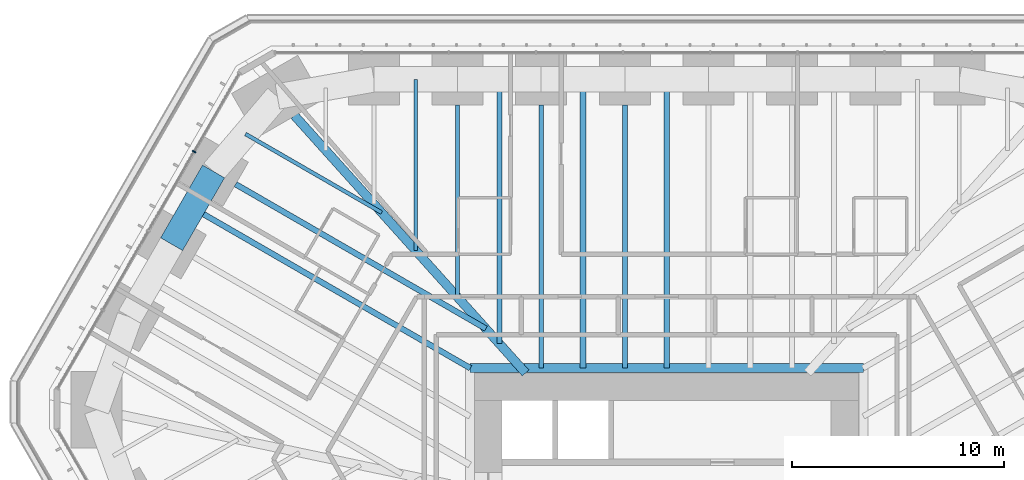
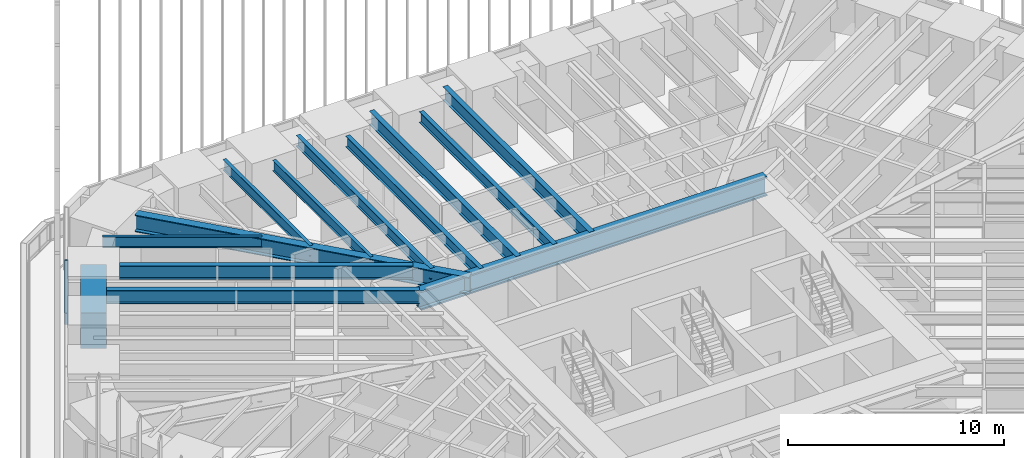
# One storey, part 141 of 238: 13 beams, 1 member, 1 element without a shape of its own.
"""IFC4 building model written with IfcOpenShell, lengths in metres."""

from ifc_helpers import new_model, si_unit, direction, frame, origin, origin_2d, place, context, subcontext, project, spatial, rectangle, i_section, extrude, material, material_profile, profile_set, type_object, element, aggregate, save


model = new_model("IFC4")

# Units and contexts
model_context = context("Model", 3, precision=1e-05, world=origin(), true_north=direction((0.0, 1.0)))
body_context = subcontext(model_context, "Body", "Model", "MODEL_VIEW")
ifc_project = project(units=[si_unit("LENGTHUNIT", "METRE"), si_unit("AREAUNIT", "SQUARE_METRE"), si_unit("VOLUMEUNIT", "CUBIC_METRE"), si_unit("PLANEANGLEUNIT", "RADIAN"), si_unit("MASSUNIT", "GRAM", prefix="KILO")], contexts=[model_context])

# Site, building, storey
site_placement = place(None, origin())
site = spatial("IfcSite", under=ifc_project, at=site_placement, CompositionType="ELEMENT")
building_placement = place(site_placement, origin())
building = spatial("IfcBuilding", under=site, at=building_placement, Name="Sandreach Pilgrim Tower", CompositionType="ELEMENT")
storey_placement = place(building_placement, frame((0.0, 0.0, 96.800048828125)))
storey = spatial("IfcBuildingStorey", under=building, at=storey_placement, Name="L23", CompositionType="ELEMENT", Elevation=96.800048828125)

# Curtain wall, member
ifc_material_1 = material(Name="Aluminium framed curtain wall", Category="aluminium")
curtain_wall_type = type_object("IfcCurtainWallType", Name="Hotel tower curtain wall", PredefinedType="NOTDEFINED", material=ifc_material_1)
curtain_wall_placement = place(storey_placement, origin())
curtain_wall = element("IfcCurtainWall", 1, at=curtain_wall_placement, inside=storey, type_object=curtain_wall_type, Name="CW-2 L23 NW", PredefinedType="NOTDEFINED")
ifc_material_2 = material(Name="Aluminium extrusion", Category="aluminium")
ifc_material_profile_1 = material_profile(ifc_material_2, rectangle(XDim=0.06494140625, YDim=0.179931640625, at=origin_2d()), Name="CW-2M 65X180")
ifc_profile_set_1 = profile_set([ifc_material_profile_1], Name="Aluminium extrusion")
member_type = type_object("IfcMemberType", Name="CW-2 mullion", PredefinedType="MULLION", material=ifc_profile_set_1)
member_placement = place(storey_placement, frame((-22.262451171875, 17.824951171875, 0.0), z_axis=(0.0, 0.0, 1.0), x_axis=(0.5, 0.866025403784, 0.0)))
member = element("IfcMember", 2, at=member_placement, type_object=member_type, Name="CW-2 mullion 4", PredefinedType="MULLION", context=body_context, shape_type="SweptSolid", body=[
    extrude(rectangle(XDim=0.06494140625, YDim=0.179931640625, at=origin_2d()), origin(), (0.0, 0.0, 1.0), 3.639892578125),
])
aggregate(curtain_wall, [member])

# Beams
ifc_material_3 = material(Name="Steel ASTM A992 Grade 50", Category="steel")
ifc_material_profile_2 = material_profile(ifc_material_3, i_section(OverallWidth=0.424072265625, OverallDepth=1.09228515625, WebThickness=0.04541015625, FlangeThickness=0.08203125, at=origin_2d()), Name="W40X593")
ifc_profile_set_2 = profile_set([ifc_material_profile_2], Name="Steel ASTM A992 Grade 50")
beam_type_1 = type_object("IfcBeamType", Name="Core edge beam W40X593", PredefinedType="BEAM", material=ifc_profile_set_2)
beam_1_placement = place(storey_placement, frame((-9.27197265625, 7.6220703125, 3.09375), z_axis=(1.0, 0.0, 0.0), x_axis=(0.0, 1.0, 0.0)))
element("IfcBeam", 3, at=beam_1_placement, inside=storey, type_object=beam_type_1, Name="BM L23 CEN", PredefinedType="BEAM", context=body_context, shape_type="SweptSolid", body=[
    extrude(i_section(OverallWidth=0.424072265625, OverallDepth=1.09228515625, WebThickness=0.04541015625, FlangeThickness=0.08203125, at=origin_2d()), origin(), (0.0, 0.0, 1.0), 18.5439453125),
])
ifc_material_4 = material(Name="Steel ASTM A992 Grade 50", Category="steel")
ifc_material_profile_3 = material_profile(ifc_material_4, i_section(OverallWidth=0.421630859375, OverallDepth=0.95751953125, WebThickness=0.02587890625, FlangeThickness=0.046875, at=origin_2d()), Name="W36X330")
ifc_profile_set_3 = profile_set([ifc_material_profile_3], Name="Steel ASTM A992 Grade 50")
beam_type_2 = type_object("IfcBeamType", Name="Corner girder W36X330", PredefinedType="BEAM", material=ifc_profile_set_3)
beam_2_placement = place(storey_placement, frame((-17.53759765625, 19.531005859375, 3.1611328125), z_axis=(0.668111331361, -0.744061320663, 0.0), x_axis=(0.744061320663, 0.668111331361, 0.0)))
element("IfcBeam", 4, at=beam_2_placement, inside=storey, type_object=beam_type_2, Name="BM L23 CG39", PredefinedType="BEAM", context=body_context, shape_type="SweptSolid", body=[
    extrude(i_section(OverallWidth=0.421630859375, OverallDepth=0.95751953125, WebThickness=0.02587890625, FlangeThickness=0.046875, at=origin_2d()), origin(), (0.0, 0.0, 1.0), 16.303955078125),
])
ifc_material_5 = material(Name="Steel ASTM A992 Grade 50", Category="steel")
ifc_material_profile_4 = material_profile(ifc_material_5, i_section(OverallWidth=0.1787109375, OverallDepth=0.60205078125, WebThickness=0.010986328125, FlangeThickness=0.014892578125, at=origin_2d()), Name="W24X62")
ifc_profile_set_4 = profile_set([ifc_material_profile_4], Name="Steel ASTM A992 Grade 50")
beam_type_3 = type_object("IfcBeamType", Name="Floor beam W24X62", PredefinedType="BEAM", material=ifc_profile_set_4)
beam_3_placement = place(storey_placement, frame((-9.849853515625, 20.03369140625, 3.3388671875), z_axis=(0.0, -1.0, 0.0), x_axis=(1.0, 0.0, 0.0)))
element("IfcBeam", 5, at=beam_3_placement, inside=storey, type_object=beam_type_3, Name="BM L23 F02", PredefinedType="BEAM", context=body_context, shape_type="SweptSolid", body=[
    extrude(i_section(OverallWidth=0.1787109375, OverallDepth=0.60205078125, WebThickness=0.010986328125, FlangeThickness=0.014892578125, at=origin_2d()), origin(), (0.0, 0.0, 1.0), 9.064208984375),
])
beam_4_placement = place(storey_placement, frame((-11.81982421875, 21.23388671875, 3.3388671875), z_axis=(0.0, -1.0, 0.0), x_axis=(1.0, 0.0, 0.0)))
element("IfcBeam", 6, at=beam_4_placement, inside=storey, type_object=beam_type_3, Name="BM L23 FM01", PredefinedType="BEAM", context=body_context, shape_type="SweptSolid", body=[
    extrude(i_section(OverallWidth=0.1787109375, OverallDepth=0.60205078125, WebThickness=0.010986328125, FlangeThickness=0.014892578125, at=origin_2d()), origin(), (0.0, 0.0, 1.0), 8.070556640625),
])
beam_5_placement = place(storey_placement, frame((-19.8427734375, 18.65771484375, 3.3388671875), z_axis=(0.866025875064, -0.499999183719, 0.0), x_axis=(0.499999183719, 0.866025875064, 0.0)))
element("IfcBeam", 7, at=beam_5_placement, inside=storey, type_object=beam_type_3, Name="BM L23 FM38", PredefinedType="BEAM", context=body_context, shape_type="SweptSolid", body=[
    extrude(i_section(OverallWidth=0.1787109375, OverallDepth=0.60205078125, WebThickness=0.010986328125, FlangeThickness=0.014892578125, at=origin_2d()), origin(), (0.0, 0.0, 1.0), 7.40771484375),
])
ifc_material_6 = material(Name="Steel ASTM A992 Grade 50", Category="steel")
ifc_material_profile_5 = material_profile(ifc_material_6, i_section(OverallWidth=0.23046875, OverallDepth=0.6171875, WebThickness=0.01318359375, FlangeThickness=0.022216796875, at=origin_2d()), Name="W24X94")
ifc_profile_set_5 = profile_set([ifc_material_profile_5], Name="Steel ASTM A992 Grade 50")
beam_type_4 = type_object("IfcBeamType", Name="Floor beam W24X94", PredefinedType="BEAM", material=ifc_profile_set_5)
for number, where, z_axis, x_axis, name in (
    (8, (-5.909912109375, 20.03369140625, 3.331298828125), (0.0, -1.0, 0.0), (1.0, 0.0, 0.0), "BM L23 F03"),
    (9, (-1.969970703125, 20.03369140625, 3.331298828125), (0.0, -1.0, 0.0), (1.0, 0.0, 0.0), "BM L23 F04"),
):
    element("IfcBeam", number, at=place(storey_placement, frame(where, z_axis=z_axis, x_axis=x_axis)), inside=storey, type_object=beam_type_4, Name=name, PredefinedType="BEAM", context=body_context, shape_type="SweptSolid", body=[
        extrude(i_section(OverallWidth=0.23046875, OverallDepth=0.6171875, WebThickness=0.01318359375, FlangeThickness=0.022216796875, at=origin_2d()), origin(), (0.0, 0.0, 1.0), 12.41162109375),
    ])
beam_6_placement = place(storey_placement, frame((-7.8798828125, 21.23388671875, 3.331298828125), z_axis=(0.0, -1.0, 0.0), x_axis=(1.0, 0.0, 0.0)))
element("IfcBeam", 10, at=beam_6_placement, inside=storey, type_object=beam_type_4, Name="BM L23 FM02", PredefinedType="BEAM", context=body_context, shape_type="SweptSolid", body=[
    extrude(i_section(OverallWidth=0.23046875, OverallDepth=0.6171875, WebThickness=0.01318359375, FlangeThickness=0.022216796875, at=origin_2d()), origin(), (0.0, 0.0, 1.0), 12.458251953125),
])
ifc_material_7 = material(Name="Steel ASTM A992 Grade 50", Category="steel")
ifc_material_profile_6 = material_profile(ifc_material_7, i_section(OverallWidth=0.2666015625, OverallDepth=0.761962890625, WebThickness=0.014404296875, FlangeThickness=0.021484375, at=origin_2d()), Name="W30X116")
ifc_profile_set_6 = profile_set([ifc_material_profile_6], Name="Steel ASTM A992 Grade 50")
beam_type_5 = type_object("IfcBeamType", Name="Floor beam W30X116", PredefinedType="BEAM", material=ifc_profile_set_6)
beam_7_placement = place(storey_placement, frame((-20.30712890625, 16.29150390625, 3.259033203125), z_axis=(0.866019859564, -0.500009602748, 0.0), x_axis=(0.500009602748, 0.866019859564, 0.0)))
element("IfcBeam", 11, at=beam_7_placement, inside=storey, type_object=beam_type_5, Name="BM L23 F38", PredefinedType="BEAM", context=body_context, shape_type="SweptSolid", body=[
    extrude(i_section(OverallWidth=0.2666015625, OverallDepth=0.761962890625, WebThickness=0.014404296875, FlangeThickness=0.021484375, at=origin_2d()), origin(), (0.0, 0.0, 1.0), 13.615478515625),
])
for number, where, z_axis, x_axis, name in (
    (12, (-3.93994140625, 21.23388671875, 3.259033203125), (0.0, -1.0, 0.0), (1.0, 0.0, 0.0), "BM L23 FM03"),
    (13, (0.0, 21.23388671875, 3.259033203125), (0.0, -1.0, 0.0), (1.0, 0.0, 0.0), "BM L23 FM04"),
):
    element("IfcBeam", number, at=place(storey_placement, frame(where, z_axis=z_axis, x_axis=x_axis)), inside=storey, type_object=beam_type_5, Name=name, PredefinedType="BEAM", context=body_context, shape_type="SweptSolid", body=[
        extrude(i_section(OverallWidth=0.2666015625, OverallDepth=0.761962890625, WebThickness=0.014404296875, FlangeThickness=0.021484375, at=origin_2d()), origin(), (0.0, 0.0, 1.0), 13.61181640625),
    ])
ifc_material_8 = material(Name="Steel ASTM A992 Grade 50", Category="steel")
ifc_material_profile_7 = material_profile(ifc_material_8, i_section(OverallWidth=0.2666015625, OverallDepth=0.77978515625, WebThickness=0.0166015625, FlangeThickness=0.030029296875, at=origin_2d()), Name="W30X148")
ifc_profile_set_7 = profile_set([ifc_material_profile_7], Name="Steel ASTM A992 Grade 50")
beam_type_6 = type_object("IfcBeamType", Name="Floor beam W30X148", PredefinedType="BEAM", material=ifc_profile_set_7)
beam_8_placement = place(storey_placement, frame((-22.335205078125, 15.1787109375, 3.25), z_axis=(0.866027679071, -0.499996059067, 0.0), x_axis=(0.499996059067, 0.866027679071, 0.0)))
element("IfcBeam", 14, at=beam_8_placement, inside=storey, type_object=beam_type_6, Name="BM L23 FM37", PredefinedType="BEAM", context=body_context, shape_type="SweptSolid", body=[
    extrude(i_section(OverallWidth=0.2666015625, OverallDepth=0.77978515625, WebThickness=0.0166015625, FlangeThickness=0.030029296875, at=origin_2d()), origin(), (0.0, 0.0, 1.0), 15.11328125),
])
ifc_material_9 = material(Name="Concrete 10000 psi", Category="concrete")
ifc_material_profile_8 = material_profile(ifc_material_9, rectangle(XDim=1.199951171875, YDim=2.0, at=origin_2d()), Name="RC1200X2000")
ifc_profile_set_8 = profile_set([ifc_material_profile_8], Name="Concrete 10000 psi")
beam_type_7 = type_object("IfcBeamType", Name="Spandrel beam RC1200X2000", PredefinedType="SPANDREL", material=ifc_profile_set_8)
beam_9_placement = place(storey_placement, frame((-23.323974609375, 13.466064453125, 2.639892578125), z_axis=(0.499989616998, 0.866031398331, 0.0), x_axis=(-0.866031398331, 0.499989616998, 0.0)))
element("IfcBeam", 15, at=beam_9_placement, inside=storey, type_object=beam_type_7, Name="BM L23 SP37", PredefinedType="SPANDREL", context=body_context, shape_type="SweptSolid", body=[
    extrude(rectangle(XDim=1.199951171875, YDim=2.0, at=origin_2d()), origin(), (0.0, 0.0, 1.0), 3.955078125),
])

save(model, "model.ifc")
